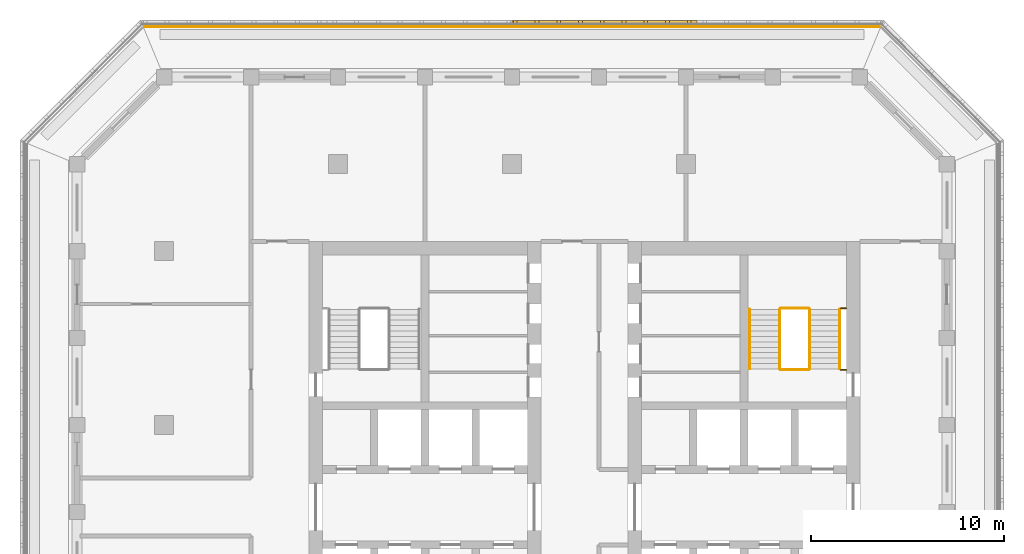
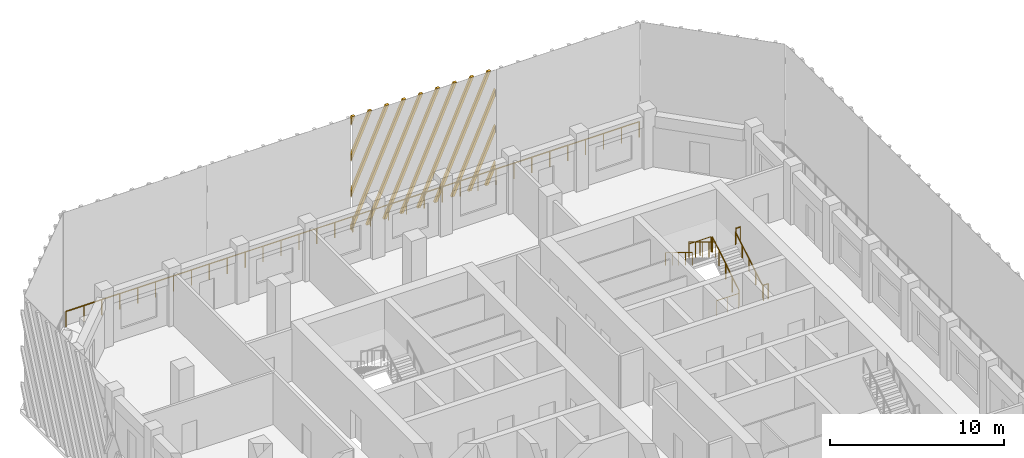
# One storey, part 13 of 15: 9 railings, 1 shading device.
"""IFC4 building model written with IfcOpenShell, lengths in metres."""

from ifc_helpers import new_model, si_unit, direction, frame, origin, origin_2d, place, context, subcontext, project, spatial, polyline, circle, outline, extrude, source, transform, mapped, material, type_object, element, save


model = new_model("IFC4")

# Units and contexts
model_context = context("Model", 3, precision=1e-05, world=origin(), true_north=direction((0.0, 1.0)))
body_context = subcontext(model_context, "Body", "Model", "MODEL_VIEW")
ifc_project = project(units=[si_unit("LENGTHUNIT", "METRE"), si_unit("AREAUNIT", "SQUARE_METRE"), si_unit("VOLUMEUNIT", "CUBIC_METRE"), si_unit("PLANEANGLEUNIT", "RADIAN"), si_unit("MASSUNIT", "GRAM", prefix="KILO")], contexts=[model_context])

# Site, building, storey
site_placement = place(None, origin())
site = spatial("IfcSite", under=ifc_project, at=site_placement, CompositionType="ELEMENT")
building_placement = place(site_placement, origin())
building = spatial("IfcBuilding", under=site, at=building_placement, Name="Corbel Stack Research Tower", CompositionType="ELEMENT")
storey_placement = place(building_placement, frame((0.0, 0.0, 274.5)))
storey = spatial("IfcBuildingStorey", under=building, at=storey_placement, Name="L62", CompositionType="ELEMENT", Elevation=274.5)

# Railings
ifc_material_1 = material(Name="Steel S355", Category="steel")
railing_type_1 = type_object("IfcRailingType", Name="Stair guard 1100", PredefinedType="GUARDRAIL", material=ifc_material_1)
railing_1_placement = place(storey_placement, frame((15.39990234375, 11.89990234375, 0.1708984375)))
element("IfcRailing", 1, at=railing_1_placement, inside=storey, type_object=railing_type_1, Name="L62 ST-E2 stair guard 1", PredefinedType="GUARDRAIL", context=body_context, shape_type="SweptSolid", body=[
    extrude(circle(Radius=0.02392578125, at=origin_2d()), frame((0.0, 0.0, 1.076171875), z_axis=(0.0, 0.853666305674, 0.52082035152), x_axis=(-1.0, 0.0, 0.0)), (0.0, 0.0, 1.0), 3.608154296875),
    extrude(circle(Radius=0.02099609375, at=origin_2d()), origin(), (0.0, 0.0, 1.0), 1.052001953125),
    extrude(circle(Radius=0.02099609375, at=origin_2d()), frame((0.0, 0.77001953125, 0.4697265625)), (0.0, 0.0, 1.0), 1.052001953125),
    extrude(circle(Radius=0.02099609375, at=origin_2d()), frame((0.0, 1.5400390625, 0.939453125)), (0.0, 0.0, 1.0), 1.052001953125),
    extrude(circle(Radius=0.02099609375, at=origin_2d()), frame((0.0, 2.31005859375, 1.409423828125)), (0.0, 0.0, 1.0), 1.052001953125),
    extrude(circle(Radius=0.02099609375, at=origin_2d()), frame((0.0, 3.080078125, 1.879150390625)), (0.0, 0.0, 1.0), 1.052001953125),
])
railing_2_placement = place(storey_placement, frame((15.35009765625, 15.030029296875, 2.050048828125)))
element("IfcRailing", 2, at=railing_2_placement, inside=storey, type_object=railing_type_1, Name="L62 ST-E2 stair guard 2", PredefinedType="GUARDRAIL", context=body_context, shape_type="SweptSolid", body=[
    extrude(circle(Radius=0.02392578125, at=origin_2d()), frame((0.0, 0.0, 1.076171875), z_axis=(-1.0, 0.0, 0.0), x_axis=(0.0, -1.0, 0.0)), (0.0, 0.0, 1.0), 1.4501953125),
    extrude(circle(Radius=0.02099609375, at=origin_2d()), origin(), (0.0, 0.0, 1.0), 1.052001953125),
    extrude(circle(Radius=0.02099609375, at=origin_2d()), frame((-0.72509765625, 0.0, 0.0)), (0.0, 0.0, 1.0), 1.052001953125),
    extrude(circle(Radius=0.02099609375, at=origin_2d()), frame((-1.4501953125, 0.0, 0.0)), (0.0, 0.0, 1.0), 1.052001953125),
])
railing_3_placement = place(storey_placement, frame((17.300048828125, 15.030029296875, 2.050048828125)))
element("IfcRailing", 3, at=railing_3_placement, inside=storey, type_object=railing_type_1, Name="L62 ST-E2 stair guard 3", PredefinedType="GUARDRAIL", context=body_context, shape_type="SweptSolid", body=[
    extrude(circle(Radius=0.02392578125, at=origin_2d()), frame((0.0, 0.0, 1.076171875), z_axis=(-1.0, 0.0, 0.0), x_axis=(0.0, -1.0, 0.0)), (0.0, 0.0, 1.0), 0.300048828125),
    extrude(circle(Radius=0.02099609375, at=origin_2d()), origin(), (0.0, 0.0, 1.0), 1.052001953125),
    extrude(circle(Radius=0.02099609375, at=origin_2d()), frame((-0.300048828125, 0.0, 0.0)), (0.0, 0.0, 1.0), 1.052001953125),
])
railing_4_placement = place(storey_placement, frame((13.85009765625, 14.97998046875, 2.220947265625)))
element("IfcRailing", 4, at=railing_4_placement, inside=storey, type_object=railing_type_1, Name="L62 ST-E2 stair guard 4", PredefinedType="GUARDRAIL", context=body_context, shape_type="SweptSolid", body=[
    extrude(circle(Radius=0.02392578125, at=origin_2d()), frame((0.0, 0.0, 1.076171875), z_axis=(0.0, -0.853666305674, 0.52082035152), x_axis=(1.0, 0.0, 0.0)), (0.0, 0.0, 1.0), 3.608154296875),
    extrude(circle(Radius=0.02099609375, at=origin_2d()), origin(), (0.0, 0.0, 1.0), 1.052001953125),
    extrude(circle(Radius=0.02099609375, at=origin_2d()), frame((0.0, -0.77001953125, 0.4697265625)), (0.0, 0.0, 1.0), 1.052001953125),
    extrude(circle(Radius=0.02099609375, at=origin_2d()), frame((0.0, -1.5400390625, 0.939453125)), (0.0, 0.0, 1.0), 1.052001953125),
    extrude(circle(Radius=0.02099609375, at=origin_2d()), frame((0.0, -2.31005859375, 1.409423828125)), (0.0, 0.0, 1.0), 1.052001953125),
    extrude(circle(Radius=0.02099609375, at=origin_2d()), frame((0.0, -3.080078125, 1.879150390625)), (0.0, 0.0, 1.0), 1.052001953125),
])
railing_5_placement = place(storey_placement, frame((15.35009765625, 11.85009765625, 0.0)))
element("IfcRailing", 5, at=railing_5_placement, inside=storey, type_object=railing_type_1, Name="L62 ST-E2 stair guard 5", PredefinedType="GUARDRAIL", context=body_context, shape_type="SweptSolid", body=[
    extrude(circle(Radius=0.02392578125, at=origin_2d()), frame((0.0, 0.0, 1.076171875), z_axis=(-1.0, 0.0, 0.0), x_axis=(0.0, -1.0, 0.0)), (0.0, 0.0, 1.0), 1.4501953125),
    extrude(circle(Radius=0.02099609375, at=origin_2d()), origin(), (0.0, 0.0, 1.0), 1.052001953125),
    extrude(circle(Radius=0.02099609375, at=origin_2d()), frame((-0.72509765625, 0.0, 0.0)), (0.0, 0.0, 1.0), 1.052001953125),
    extrude(circle(Radius=0.02099609375, at=origin_2d()), frame((-1.4501953125, 0.0, 0.0)), (0.0, 0.0, 1.0), 1.052001953125),
])
railing_6_placement = place(storey_placement, frame((17.300048828125, 11.85009765625, 0.0)))
element("IfcRailing", 6, at=railing_6_placement, inside=storey, type_object=railing_type_1, Name="L62 ST-E2 stair guard 6", PredefinedType="GUARDRAIL", context=body_context, shape_type="SweptSolid", body=[
    extrude(circle(Radius=0.02392578125, at=origin_2d()), frame((0.0, 0.0, 1.076171875), z_axis=(-1.0, 0.0, 0.0), x_axis=(0.0, -1.0, 0.0)), (0.0, 0.0, 1.0), 0.300048828125),
    extrude(circle(Radius=0.02099609375, at=origin_2d()), origin(), (0.0, 0.0, 1.0), 1.052001953125),
    extrude(circle(Radius=0.02099609375, at=origin_2d()), frame((-0.300048828125, 0.0, 0.0)), (0.0, 0.0, 1.0), 1.052001953125),
])
ifc_material_2 = material(Name="Steel S355", Category="steel")
railing_type_2 = type_object("IfcRailingType", Name="Stair handrail 900", PredefinedType="HANDRAIL", material=ifc_material_2)
railing_7_placement = place(storey_placement, frame((16.949951171875, 11.89990234375, 0.1708984375)))
element("IfcRailing", 7, at=railing_7_placement, inside=storey, type_object=railing_type_2, Name="L62 ST-E2 stair handrail 1", PredefinedType="HANDRAIL", context=body_context, shape_type="SweptSolid", body=[
    extrude(circle(Radius=0.02392578125, at=origin_2d()), frame((0.0, 0.0, 0.8759765625), z_axis=(0.0, 0.853666305674, 0.52082035152), x_axis=(-1.0, 0.0, 0.0)), (0.0, 0.0, 1.0), 3.608154296875),
    extrude(circle(Radius=0.02099609375, at=origin_2d()), origin(), (0.0, 0.0, 1.0), 0.851806640625),
    extrude(circle(Radius=0.02099609375, at=origin_2d()), frame((0.0, 0.77001953125, 0.4697265625)), (0.0, 0.0, 1.0), 0.851806640625),
    extrude(circle(Radius=0.02099609375, at=origin_2d()), frame((0.0, 1.5400390625, 0.939453125)), (0.0, 0.0, 1.0), 0.851806640625),
    extrude(circle(Radius=0.02099609375, at=origin_2d()), frame((0.0, 2.31005859375, 1.409423828125)), (0.0, 0.0, 1.0), 0.851806640625),
    extrude(circle(Radius=0.02099609375, at=origin_2d()), frame((0.0, 3.080078125, 1.879150390625)), (0.0, 0.0, 1.0), 0.851806640625),
])
railing_8_placement = place(storey_placement, frame((12.300048828125, 14.97998046875, 2.220947265625)))
element("IfcRailing", 8, at=railing_8_placement, inside=storey, type_object=railing_type_2, Name="L62 ST-E2 stair handrail 2", PredefinedType="HANDRAIL", context=body_context, shape_type="SweptSolid", body=[
    extrude(circle(Radius=0.02392578125, at=origin_2d()), frame((0.0, 0.0, 0.8759765625), z_axis=(0.0, -0.853666305674, 0.52082035152), x_axis=(1.0, 0.0, 0.0)), (0.0, 0.0, 1.0), 3.608154296875),
    extrude(circle(Radius=0.02099609375, at=origin_2d()), origin(), (0.0, 0.0, 1.0), 0.851806640625),
    extrude(circle(Radius=0.02099609375, at=origin_2d()), frame((0.0, -0.77001953125, 0.4697265625)), (0.0, 0.0, 1.0), 0.851806640625),
    extrude(circle(Radius=0.02099609375, at=origin_2d()), frame((0.0, -1.5400390625, 0.939453125)), (0.0, 0.0, 1.0), 0.851806640625),
    extrude(circle(Radius=0.02099609375, at=origin_2d()), frame((0.0, -2.31005859375, 1.409423828125)), (0.0, 0.0, 1.0), 0.851806640625),
    extrude(circle(Radius=0.02099609375, at=origin_2d()), frame((0.0, -3.080078125, 1.879150390625)), (0.0, 0.0, 1.0), 0.851806640625),
])
ifc_material_3 = material(Name="Powder-coated steel guard", Category="steel")
railing_type_3 = type_object("IfcRailingType", Name="Steel and glass guard 1100", PredefinedType="GUARDRAIL", material=ifc_material_3)
railing_9_placement = place(storey_placement, frame((19.00537109375, 29.60009765625, 0.0)))
element("IfcRailing", 9, at=railing_9_placement, inside=storey, type_object=railing_type_3, Name="Loggia guard L62 N", PredefinedType="GUARDRAIL", context=body_context, shape_type="SweptSolid", body=[
    extrude(circle(Radius=0.02392578125, at=origin_2d()), frame((0.0, 0.0, 1.076171875), z_axis=(-1.0, 0.0, 0.0), x_axis=(0.0, -1.0, 0.0)), (0.0, 0.0, 1.0), 38.0107421875),
    extrude(circle(Radius=0.02099609375, at=origin_2d()), origin(), (0.0, 0.0, 1.0), 1.052001953125),
    extrude(circle(Radius=0.02099609375, at=origin_2d()), frame((-1.187744140625, 0.0, 0.0)), (0.0, 0.0, 1.0), 1.052001953125),
    extrude(circle(Radius=0.02099609375, at=origin_2d()), frame((-2.375732421875, 0.0, 0.0)), (0.0, 0.0, 1.0), 1.052001953125),
    extrude(circle(Radius=0.02099609375, at=origin_2d()), frame((-3.5634765625, 0.0, 0.0)), (0.0, 0.0, 1.0), 1.052001953125),
    extrude(circle(Radius=0.02099609375, at=origin_2d()), frame((-4.75146484375, 0.0, 0.0)), (0.0, 0.0, 1.0), 1.052001953125),
    extrude(circle(Radius=0.02099609375, at=origin_2d()), frame((-5.939208984375, 0.0, 0.0)), (0.0, 0.0, 1.0), 1.052001953125),
    extrude(circle(Radius=0.02099609375, at=origin_2d()), frame((-7.126953125, 0.0, 0.0)), (0.0, 0.0, 1.0), 1.052001953125),
    extrude(circle(Radius=0.02099609375, at=origin_2d()), frame((-8.31494140625, 0.0, 0.0)), (0.0, 0.0, 1.0), 1.052001953125),
    extrude(circle(Radius=0.02099609375, at=origin_2d()), frame((-9.502685546875, 0.0, 0.0)), (0.0, 0.0, 1.0), 1.052001953125),
    extrude(circle(Radius=0.02099609375, at=origin_2d()), frame((-10.6904296875, 0.0, 0.0)), (0.0, 0.0, 1.0), 1.052001953125),
    extrude(circle(Radius=0.02099609375, at=origin_2d()), frame((-11.87841796875, 0.0, 0.0)), (0.0, 0.0, 1.0), 1.052001953125),
    extrude(circle(Radius=0.02099609375, at=origin_2d()), frame((-13.066162109375, 0.0, 0.0)), (0.0, 0.0, 1.0), 1.052001953125),
    extrude(circle(Radius=0.02099609375, at=origin_2d()), frame((-14.25390625, 0.0, 0.0)), (0.0, 0.0, 1.0), 1.052001953125),
    extrude(circle(Radius=0.02099609375, at=origin_2d()), frame((-15.44189453125, 0.0, 0.0)), (0.0, 0.0, 1.0), 1.052001953125),
    extrude(circle(Radius=0.02099609375, at=origin_2d()), frame((-16.629638671875, 0.0, 0.0)), (0.0, 0.0, 1.0), 1.052001953125),
    extrude(circle(Radius=0.02099609375, at=origin_2d()), frame((-17.817626953125, 0.0, 0.0)), (0.0, 0.0, 1.0), 1.052001953125),
    extrude(circle(Radius=0.02099609375, at=origin_2d()), frame((-19.00537109375, 0.0, 0.0)), (0.0, 0.0, 1.0), 1.052001953125),
    extrude(circle(Radius=0.02099609375, at=origin_2d()), frame((-20.193115234375, 0.0, 0.0)), (0.0, 0.0, 1.0), 1.052001953125),
    extrude(circle(Radius=0.02099609375, at=origin_2d()), frame((-21.381103515625, 0.0, 0.0)), (0.0, 0.0, 1.0), 1.052001953125),
    extrude(circle(Radius=0.02099609375, at=origin_2d()), frame((-22.56884765625, 0.0, 0.0)), (0.0, 0.0, 1.0), 1.052001953125),
    extrude(circle(Radius=0.02099609375, at=origin_2d()), frame((-23.7568359375, 0.0, 0.0)), (0.0, 0.0, 1.0), 1.052001953125),
    extrude(circle(Radius=0.02099609375, at=origin_2d()), frame((-24.944580078125, 0.0, 0.0)), (0.0, 0.0, 1.0), 1.052001953125),
    extrude(circle(Radius=0.02099609375, at=origin_2d()), frame((-26.13232421875, 0.0, 0.0)), (0.0, 0.0, 1.0), 1.052001953125),
    extrude(circle(Radius=0.02099609375, at=origin_2d()), frame((-27.3203125, 0.0, 0.0)), (0.0, 0.0, 1.0), 1.052001953125),
    extrude(circle(Radius=0.02099609375, at=origin_2d()), frame((-28.508056640625, 0.0, 0.0)), (0.0, 0.0, 1.0), 1.052001953125),
    extrude(circle(Radius=0.02099609375, at=origin_2d()), frame((-29.69580078125, 0.0, 0.0)), (0.0, 0.0, 1.0), 1.052001953125),
    extrude(circle(Radius=0.02099609375, at=origin_2d()), frame((-30.8837890625, 0.0, 0.0)), (0.0, 0.0, 1.0), 1.052001953125),
    extrude(circle(Radius=0.02099609375, at=origin_2d()), frame((-32.071533203125, 0.0, 0.0)), (0.0, 0.0, 1.0), 1.052001953125),
    extrude(circle(Radius=0.02099609375, at=origin_2d()), frame((-33.25927734375, 0.0, 0.0)), (0.0, 0.0, 1.0), 1.052001953125),
    extrude(circle(Radius=0.02099609375, at=origin_2d()), frame((-34.447265625, 0.0, 0.0)), (0.0, 0.0, 1.0), 1.052001953125),
    extrude(circle(Radius=0.02099609375, at=origin_2d()), frame((-35.635009765625, 0.0, 0.0)), (0.0, 0.0, 1.0), 1.052001953125),
    extrude(circle(Radius=0.02099609375, at=origin_2d()), frame((-36.822998046875, 0.0, 0.0)), (0.0, 0.0, 1.0), 1.052001953125),
    extrude(circle(Radius=0.02099609375, at=origin_2d()), frame((-38.0107421875, 0.0, 0.0)), (0.0, 0.0, 1.0), 1.052001953125),
])

# Shading device
ifc_material_4 = material(Name="Precast terracotta", Category="masonry")
shading_device_type = type_object("IfcShadingDeviceType", Name="Terracotta screen panel", PredefinedType="USERDEFINED", material=ifc_material_4)
shared_shape = source(origin(), body_context, "Body", "SweptSolid", [
    extrude(outline(polyline([(0.66455078125, 0.0), (0.0, 1.49267578125), (0.0, 1.06591796875), (0.474609375, 0.0), (0.66455078125, 0.0)])), frame((0.0, 0.0, 0.0), z_axis=(0.0, -1.0, 0.0), x_axis=(1.0, 0.0, 0.0)), (0.0, 0.0, 1.0), 0.179931640625),
    extrude(outline(polyline([(1.78955078125, 0.0), (0.0, 4.019287109375), (0.0, 3.592529296875), (1.599609375, 0.0), (1.78955078125, 0.0)])), frame((0.0, 0.0, 0.0), z_axis=(0.0, -1.0, 0.0), x_axis=(1.0, 0.0, 0.0)), (0.0, 0.0, 1.0), 0.179931640625),
    extrude(outline(polyline([(2.91455078125, 0.0), (0.0, 6.546142578125), (0.0, 6.119384765625), (2.724609375, 0.0), (2.91455078125, 0.0)])), frame((0.0, 0.0, 0.0), z_axis=(0.0, -1.0, 0.0), x_axis=(1.0, 0.0, 0.0)), (0.0, 0.0, 1.0), 0.179931640625),
    extrude(outline(polyline([(4.03955078125, 0.0), (0.5, 7.949951171875), (0.31005859375, 7.949951171875), (3.849609375, 0.0), (4.03955078125, 0.0)])), frame((0.0, 0.0, 0.0), z_axis=(0.0, -1.0, 0.0), x_axis=(1.0, 0.0, 0.0)), (0.0, 0.0, 1.0), 0.179931640625),
    extrude(outline(polyline([(5.16455078125, 0.0), (1.625, 7.949951171875), (1.43505859375, 7.949951171875), (4.974609375, 0.0), (5.16455078125, 0.0)])), frame((0.0, 0.0, 0.0), z_axis=(0.0, -1.0, 0.0), x_axis=(1.0, 0.0, 0.0)), (0.0, 0.0, 1.0), 0.179931640625),
    extrude(outline(polyline([(6.28955078125, 0.0), (2.75, 7.949951171875), (2.56005859375, 7.949951171875), (6.099609375, 0.0), (6.28955078125, 0.0)])), frame((0.0, 0.0, 0.0), z_axis=(0.0, -1.0, 0.0), x_axis=(1.0, 0.0, 0.0)), (0.0, 0.0, 1.0), 0.179931640625),
    extrude(outline(polyline([(7.41455078125, 0.0), (3.875, 7.949951171875), (3.68505859375, 7.949951171875), (7.224609375, 0.0), (7.41455078125, 0.0)])), frame((0.0, 0.0, 0.0), z_axis=(0.0, -1.0, 0.0), x_axis=(1.0, 0.0, 0.0)), (0.0, 0.0, 1.0), 0.179931640625),
    extrude(outline(polyline([(8.53955078125, 0.0), (5.0, 7.949951171875), (4.81005859375, 7.949951171875), (8.349609375, 0.0), (8.53955078125, 0.0)])), frame((0.0, 0.0, 0.0), z_axis=(0.0, -1.0, 0.0), x_axis=(1.0, 0.0, 0.0)), (0.0, 0.0, 1.0), 0.179931640625),
    extrude(outline(polyline([(9.569580078125, 0.0), (9.569580078125, 0.21337890625), (6.125, 7.949951171875), (5.93505859375, 7.949951171875), (9.474609375, 0.0), (9.569580078125, 0.0)])), frame((0.0, 0.0, 0.0), z_axis=(0.0, -1.0, 0.0), x_axis=(1.0, 0.0, 0.0)), (0.0, 0.0, 1.0), 0.179931640625),
    extrude(outline(polyline([(7.25, 7.949951171875), (7.06005859375, 7.949951171875), (9.569580078125, 2.3134765625), (9.569580078125, 2.740234375), (7.25, 7.949951171875)])), frame((0.0, 0.0, 0.0), z_axis=(0.0, -1.0, 0.0), x_axis=(1.0, 0.0, 0.0)), (0.0, 0.0, 1.0), 0.179931640625),
    extrude(outline(polyline([(8.375, 7.949951171875), (8.18505859375, 7.949951171875), (9.569580078125, 4.840087890625), (9.569580078125, 5.26708984375), (8.375, 7.949951171875)])), frame((0.0, 0.0, 0.0), z_axis=(0.0, -1.0, 0.0), x_axis=(1.0, 0.0, 0.0)), (0.0, 0.0, 1.0), 0.179931640625),
    extrude(outline(polyline([(9.5, 7.949951171875), (9.31005859375, 7.949951171875), (9.569580078125, 7.366943359375), (9.569580078125, 7.793701171875), (9.5, 7.949951171875)])), frame((0.0, 0.0, 0.0), z_axis=(0.0, -1.0, 0.0), x_axis=(1.0, 0.0, 0.0)), (0.0, 0.0, 1.0), 0.179931640625),
])
shading_device_placement = place(storey_placement, frame((9.569580078125, 29.75, 0.0), z_axis=(0.0, 0.0, 1.0), x_axis=(-1.0, 0.0, 0.0)))
element("IfcShadingDevice", 10, at=shading_device_placement, inside=storey, type_object=shading_device_type, Name="Terracotta screen L62 N2", ObjectType="SCREEN", PredefinedType="USERDEFINED", context=body_context, shape_type="MappedRepresentation", body=[
    mapped(shared_shape, transform((0.0, 0.0, 0.0))),
])

save(model, "model.ifc")
